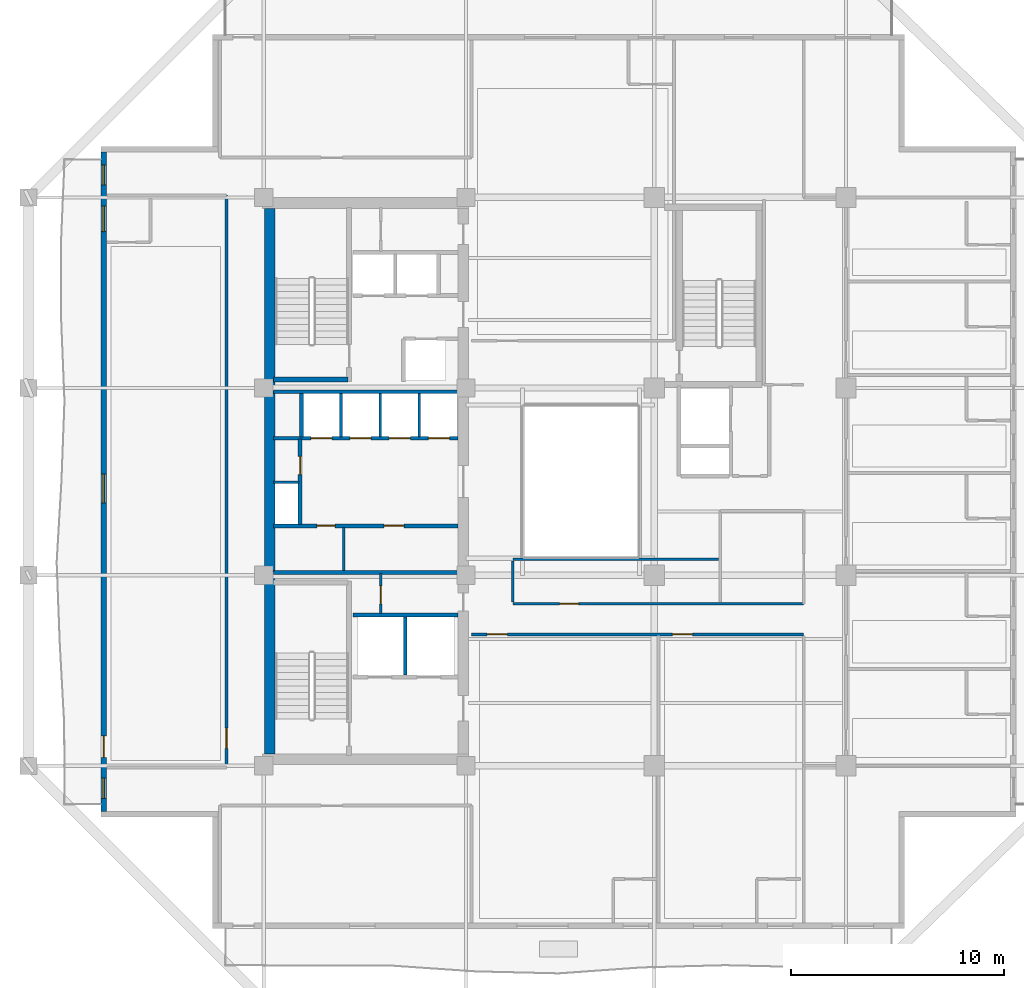
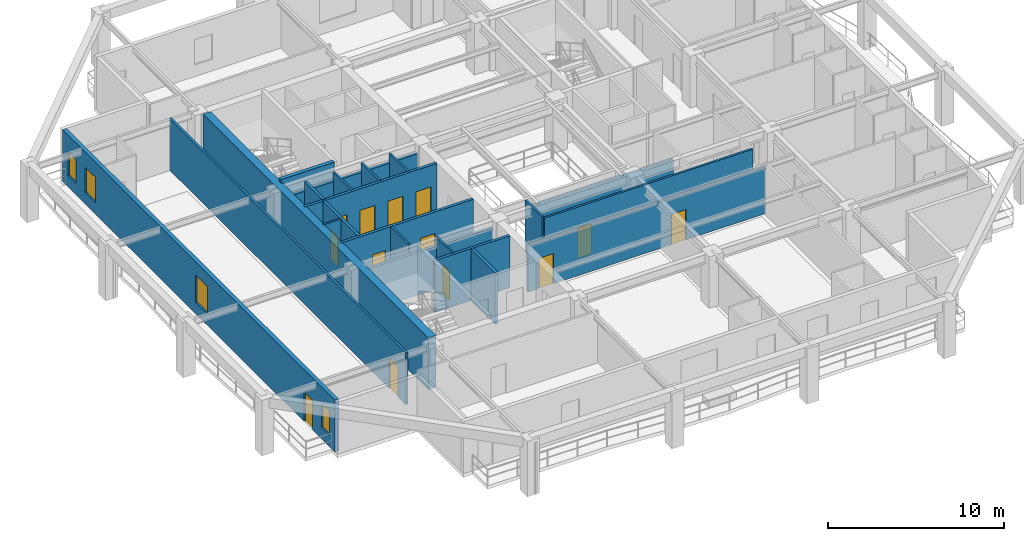
# One storey, part 3 of 13: 22 walls, 13 doors, 4 windows, 17 openings.
"""IFC4 building model written with IfcOpenShell, lengths in metres."""

import ifcopenshell
import ifcopenshell.guid

model = None  # the IFC model being written
_history = None  # IfcOwnerHistory: only IFC2X3 demands one
_inside = {}  # id of a spatial element -> (the spatial element, [elements in it])
_under = {}  # id of a project, library or spatial element -> (it, [spatial elements below it])
_declared = {}  # id of a project -> (the project, [libraries it declares])
_typed = {}  # id of a type object -> (the type object, [elements of that type])
_made_of = {}  # id of a material, layer set ... -> (it, [elements and type objects made of it])


def new_model(schema):
    """Start an empty IFC model of exactly this schema.

    Asked for "IFC4X3", IfcOpenShell would pick the latest addendum, in which some entities
    have other attributes; the version numbers below select the first issue.
    IFC2X3 requires an IfcOwnerHistory on every rooted entity: one is made here for all.
    """
    global model, _history
    if schema == "IFC4X3":
        model = ifcopenshell.file(schema_version=(4, 3, 0, 0))
    else:
        model = ifcopenshell.file(schema=schema)
    _inside.clear()
    _under.clear()
    _declared.clear()
    _typed.clear()
    _made_of.clear()
    _history = None
    if model.schema == "IFC2X3":
        org = make("IfcOrganization", Name="unknown")
        user = make(
            "IfcPersonAndOrganization",
            ThePerson=make("IfcPerson", FamilyName="unknown"),
            TheOrganization=org,
        )
        app = make(
            "IfcApplication",
            ApplicationDeveloper=org,
            Version="unknown",
            ApplicationFullName="unknown",
            ApplicationIdentifier="unknown",
        )
        _history = make(
            "IfcOwnerHistory",
            OwningUser=user,
            OwningApplication=app,
            ChangeAction="ADDED",
            CreationDate=0,
        )
    return model


def make(cls, **values):
    """One entity of the class cls with the attributes given. An attribute that is None is left unset."""
    return model.create_entity(
        cls, **{name: value for name, value in values.items() if value is not None}
    )


def rooted(cls, **values):
    """An entity with a GlobalId (a new one), such as an element, a storey or a relation."""
    return make(cls, GlobalId=ifcopenshell.guid.new(), OwnerHistory=_history, **values)


def si_unit(unit_type, name, prefix=None):
    """IfcSIUnit, for example si_unit("LENGTHUNIT", "METRE", prefix="MILLI")."""
    return make("IfcSIUnit", UnitType=unit_type, Prefix=prefix, Name=name)


def assignment(units):
    """IfcUnitAssignment: the units of a project."""
    return None if units is None else make("IfcUnitAssignment", Units=units)


def point(xyz):
    """IfcCartesianPoint."""
    return None if xyz is None else make("IfcCartesianPoint", Coordinates=xyz)


def direction(xyz):
    """IfcDirection."""
    return None if xyz is None else make("IfcDirection", DirectionRatios=xyz)


def frame(location, z_axis=None, x_axis=None):
    """IfcAxis2Placement3D, a coordinate frame: its origin and axes. An axis left out is left unset."""
    return make(
        "IfcAxis2Placement3D",
        Location=point(location),
        Axis=direction(z_axis),
        RefDirection=direction(x_axis),
    )


def frame_2d(location, x_axis=None):
    """IfcAxis2Placement2D, a coordinate frame in the plane: its origin and x axis."""
    return make(
        "IfcAxis2Placement2D", Location=point(location), RefDirection=direction(x_axis)
    )


def origin():
    """The frame at (0, 0, 0) with its axes left unset."""
    return frame((0.0, 0.0, 0.0))


def place(relative_to, where):
    """IfcLocalPlacement: puts the frame where relative to a parent placement (None: the world)."""
    return make(
        "IfcLocalPlacement", PlacementRelTo=relative_to, RelativePlacement=where
    )


def context(
    kind, dimensions, precision=None, world=None, true_north=None, identifier=None
):
    """IfcGeometricRepresentationContext, for example the 3D "Model" context."""
    return make(
        "IfcGeometricRepresentationContext",
        ContextIdentifier=identifier,
        ContextType=kind,
        CoordinateSpaceDimension=dimensions,
        Precision=precision,
        WorldCoordinateSystem=world,
        TrueNorth=true_north,
    )


def subcontext(parent, identifier, kind, view, scale=None):
    """IfcGeometricRepresentationSubContext, for example "Body" below "Model"."""
    return make(
        "IfcGeometricRepresentationSubContext",
        ContextIdentifier=identifier,
        ContextType=kind,
        ParentContext=parent,
        TargetScale=scale,
        TargetView=view,
    )


def project(units=None, contexts=None):
    """IfcProject with its units and contexts."""
    return rooted(
        "IfcProject",
        Name="project",
        RepresentationContexts=contexts,
        UnitsInContext=assignment(units),
    )


def spatial(cls, under=None, at=None, **own):
    """A site, building, storey or space (cls), placed at a placement, below another one or the project."""
    s = rooted(cls, ObjectPlacement=at, **own)
    if under is not None:
        _under.setdefault(under.id(), (under, []))[1].append(s)
    return s


def profile(cls, at=None, kind="AREA", **sizes):
    """A parametric profile (cls). Its sizes go by their IFC names, for example OverallWidth=200.0."""
    return make(cls, ProfileType=kind, Position=at, **sizes)


def rectangle(**sizes):
    """IfcRectangleProfileDef."""
    return profile("IfcRectangleProfileDef", **sizes)


def extrude(swept, where, along, depth):
    """IfcExtrudedAreaSolid: the profile swept, set in the frame where, extruded along a direction by depth."""
    return make(
        "IfcExtrudedAreaSolid",
        SweptArea=swept,
        Position=where,
        ExtrudedDirection=direction(along),
        Depth=depth,
    )


def shape(context_of_items, identifier, shape_type, items):
    """IfcShapeRepresentation: the items that make up one representation, for example the "Body"."""
    return make(
        "IfcShapeRepresentation",
        ContextOfItems=context_of_items,
        RepresentationIdentifier=identifier,
        RepresentationType=shape_type,
        Items=items,
    )


def material(Name=None, Category=None):
    """IfcMaterial."""
    return make("IfcMaterial", Name=Name, Category=Category)


def layer(
    of_material, thickness, ventilated=None, Name=None, Category=None, Priority=None
):
    """IfcMaterialLayer: one layer of a wall or slab, of a material (None: an air gap)."""
    return make(
        "IfcMaterialLayer",
        Material=of_material,
        LayerThickness=thickness,
        IsVentilated=ventilated,
        Name=Name,
        Category=Category,
        Priority=Priority,
    )


def layer_set(layers, Name=None):
    """IfcMaterialLayerSet."""
    return make("IfcMaterialLayerSet", MaterialLayers=layers, LayerSetName=Name)


def made_of(thing, what):
    """Note that an element or type object is made of a material, layer set ...; save() writes the relation."""
    if what is not None:
        _made_of.setdefault(what.id(), (what, []))[1].append(thing)
    return thing


def type_object(cls, material=None, **own):
    """A type object (cls), such as IfcWallType, which elements share."""
    return made_of(rooted(cls, **own), material)


def element(
    cls,
    number,
    at=None,
    inside=None,
    cuts=None,
    type_object=None,
    material=None,
    context=None,
    identifier="Body",
    shape_type=None,
    held_by="IfcProductDefinitionShape",
    body=None,
    shapes=None,
    **own,
):
    """One element of the class cls, such as IfcWall. Its Tag is "e" and its number.

    at: its placement. inside: the storey or other place that contains it. cuts: it is an
    opening in that element (IfcRelVoidsElement). A single representation is given by context,
    identifier, shape_type and body (its items); several are given by shapes. held_by: the class
    of the entity that holds the representations. save() writes the other relations.
    """
    e = rooted(cls, Tag="e%d" % number, ObjectPlacement=at, **own)
    if body is not None:
        shapes = [shape(context, identifier, shape_type, body)]
    if shapes is not None:
        e.Representation = make(held_by, Representations=shapes)
    if inside is not None:
        _inside.setdefault(inside.id(), (inside, []))[1].append(e)
    if cuts is not None:
        rooted(
            "IfcRelVoidsElement", RelatingBuildingElement=cuts, RelatedOpeningElement=e
        )
    if type_object is not None:
        _typed.setdefault(type_object.id(), (type_object, []))[1].append(e)
    return made_of(e, material)


def fill(opening, filler):
    """IfcRelFillsElement: the door or window that sits in an opening."""
    return rooted(
        "IfcRelFillsElement",
        RelatingOpeningElement=opening,
        RelatedBuildingElement=filler,
    )


def aggregate(whole, parts):
    """IfcRelAggregates: a whole, such as a stair, and the parts it consists of."""
    return rooted("IfcRelAggregates", RelatingObject=whole, RelatedObjects=parts)


def save(model, path):
    """Write the relations noted so far, then the file.

    IfcRelAggregates (storeys below a building ...), IfcRelContainedInSpatialStructure (elements
    in a storey), IfcRelDefinesByType, IfcRelAssociatesMaterial and IfcRelDeclares: one each for
    every whole, place, type object, material and project.
    """
    for whole, parts in _under.values():
        aggregate(whole, parts)
    for where, things in _inside.values():
        rooted(
            "IfcRelContainedInSpatialStructure",
            RelatedElements=things,
            RelatingStructure=where,
        )
    for kind, things in _typed.values():
        rooted("IfcRelDefinesByType", RelatedObjects=things, RelatingType=kind)
    for what, things in _made_of.values():
        rooted("IfcRelAssociatesMaterial", RelatedObjects=things, RelatingMaterial=what)
    for by, libraries in _declared.values():
        rooted("IfcRelDeclares", RelatingContext=by, RelatedDefinitions=libraries)
    model.write(path)


model = new_model("IFC4")

# Units and contexts
model_context = context("Model", 3, precision=1e-05, world=origin(), true_north=direction((0.0, 1.0)))
body_context = subcontext(model_context, "Body", "Model", "MODEL_VIEW")
ifc_project = project(units=[si_unit("LENGTHUNIT", "METRE"), si_unit("AREAUNIT", "SQUARE_METRE"), si_unit("VOLUMEUNIT", "CUBIC_METRE"), si_unit("PLANEANGLEUNIT", "RADIAN"), si_unit("MASSUNIT", "GRAM", prefix="KILO")], contexts=[model_context])

# Site, building, storey
site_placement = place(None, origin())
site = spatial("IfcSite", under=ifc_project, at=site_placement, CompositionType="ELEMENT")
building_placement = place(site_placement, origin())
building = spatial("IfcBuilding", under=site, at=building_placement, Name="Kundavana Baori Tower", CompositionType="ELEMENT")
storey_placement = place(building_placement, frame((0.0, 0.0, 192.550048828125)))
storey = spatial("IfcBuildingStorey", under=building, at=storey_placement, Name="L47", CompositionType="ELEMENT", Elevation=192.550048828125)

# Walls
ifc_material_1 = material(Name="Concrete C50/60", Category="concrete")
ifc_layer_1 = layer(ifc_material_1, 0.39990234375, Name="WL-CORE-400")
ifc_layer_set_1 = layer_set([ifc_layer_1], Name="Concrete C50/60")
wall_type_1 = type_object("IfcWallType", Name="WL-CORE-400", PredefinedType="SHEAR", material=ifc_layer_set_1)
wall_1_placement = place(storey_placement, frame((15.89990234375, 33.389892578125, 0.0), z_axis=(0.0, 0.0, 1.0), x_axis=(1.0, 0.0, 0.0)))
element("IfcWall", 1, at=wall_1_placement, inside=storey, type_object=wall_type_1, Name="WL-L47-ST2-S", PredefinedType="SHEAR", context=body_context, shape_type="SweptSolid", body=[
    extrude(rectangle(XDim=3.52001953125, YDim=0.239990234375, at=frame_2d((1.760009765625, 0.0))), origin(), (0.0, 0.0, 1.0), 3.849853515625),
])
ifc_material_2 = material(Name="Concrete C50/60", Category="concrete")
ifc_layer_2 = layer(ifc_material_2, 0.5, Name="WL-CORE-500")
ifc_layer_set_2 = layer_set([ifc_layer_2], Name="Concrete C50/60")
wall_type_2 = type_object("IfcWallType", Name="WL-CORE-500", PredefinedType="SHEAR", material=ifc_layer_set_2)
wall_2_placement = place(storey_placement, frame((15.739990234375, 15.81005859375, 0.0), z_axis=(0.0, 0.0, 1.0), x_axis=(0.0, 1.0, 0.0)))
element("IfcWall", 2, at=wall_2_placement, inside=storey, type_object=wall_type_2, Name="L47 Offset Core West Shear Wall", PredefinedType="SHEAR", context=body_context, shape_type="SweptSolid", body=[
    extrude(rectangle(XDim=25.6298828125, YDim=0.5, at=frame_2d((12.81494140625, 0.0))), origin(), (0.0, 0.0, 1.0), 3.599853515625),
])

# Wall, openings, door, windows
ifc_material_3 = material(Name="Kiln-Fired Terracotta Brick-Slip Masonry on Concrete C40/50", Category="masonry")
ifc_layer_3 = layer(ifc_material_3, 0.260009765625, Name="WL-EXT-BRK-260")
ifc_layer_set_3 = layer_set([ifc_layer_3], Name="Kiln-Fired Terracotta Brick-Slip Masonry on Concrete C40/50")
wall_type_3 = type_object("IfcWallType", Name="WL-EXT-BRK-260", PredefinedType="SOLIDWALL", material=ifc_layer_set_3)
wall_3_placement = place(storey_placement, frame((7.929931640625, 44.090087890625, 0.0), z_axis=(0.0, 0.0, 1.0), x_axis=(0.0, -1.0, 0.0)))
wall_3 = element("IfcWall", 3, at=wall_3_placement, inside=storey, type_object=wall_type_3, Name="L47 Exterior Insulated Facade Wall 10", PredefinedType="SOLIDWALL", context=body_context, shape_type="SweptSolid", body=[
    extrude(rectangle(XDim=30.97998046875, YDim=0.260009765625, at=frame_2d((15.489990234375, 0.0))), origin(), (0.0, 0.0, 1.0), 3.599853515625),
])
opening_1_placement = place(wall_3_placement, frame((29.425048828125, 0.0, 0.800048828125)))
opening_1 = element("IfcOpeningElement", 4, at=opening_1_placement, cuts=wall_3, Name="Opening W-13", PredefinedType="OPENING", context=body_context, shape_type="SweptSolid", body=[
    extrude(rectangle(XDim=0.949951171875, YDim=1.64990234375, at=frame_2d((0.47509765625, 0.824951171875))), frame((0.0, 0.14013671875, 0.0), z_axis=(0.0, -1.0, 0.0), x_axis=(1.0, 0.0, 0.0)), (0.0, 0.0, 1.0), 0.280029296875),
])
opening_2_placement = place(wall_3_placement, frame((27.43994140625, 0.0, 0.0)))
opening_2 = element("IfcOpeningElement", 5, at=opening_2_placement, cuts=wall_3, Name="Opening BD-1", PredefinedType="OPENING", context=body_context, shape_type="SweptSolid", body=[
    extrude(rectangle(XDim=1.0, YDim=2.050048828125, at=frame_2d((0.5, 1.02490234375))), frame((0.0, 0.14013671875, 0.0), z_axis=(0.0, -1.0, 0.0), x_axis=(1.0, 0.0, 0.0)), (0.0, 0.0, 1.0), 0.280029296875),
])
opening_3_placement = place(wall_3_placement, frame((15.135009765625, 0.0, 0.800048828125)))
opening_3 = element("IfcOpeningElement", 6, at=opening_3_placement, cuts=wall_3, Name="Opening W-07", PredefinedType="OPENING", context=body_context, shape_type="SweptSolid", body=[
    extrude(rectangle(XDim=1.35009765625, YDim=1.89990234375, at=frame_2d((0.675048828125, 0.949951171875))), frame((0.0, 0.14013671875, 0.0), z_axis=(0.0, -1.0, 0.0), x_axis=(1.0, 0.0, 0.0)), (0.0, 0.0, 1.0), 0.280029296875),
])
opening_4_placement = place(wall_3_placement, frame((2.544921875, 0.0, 0.800048828125)))
opening_4 = element("IfcOpeningElement", 7, at=opening_4_placement, cuts=wall_3, Name="Opening W-03", PredefinedType="OPENING", context=body_context, shape_type="SweptSolid", body=[
    extrude(rectangle(XDim=1.199951171875, YDim=1.75, at=frame_2d((0.60009765625, 0.875))), frame((0.0, 0.14013671875, 0.0), z_axis=(0.0, -1.0, 0.0), x_axis=(1.0, 0.0, 0.0)), (0.0, 0.0, 1.0), 0.280029296875),
])
opening_5_placement = place(wall_3_placement, frame((0.60498046875, 0.0, 0.800048828125)))
opening_5 = element("IfcOpeningElement", 8, at=opening_5_placement, cuts=wall_3, Name="Opening W-13", PredefinedType="OPENING", context=body_context, shape_type="SweptSolid", body=[
    extrude(rectangle(XDim=0.949951171875, YDim=1.64990234375, at=frame_2d((0.47509765625, 0.824951171875))), frame((0.0, 0.14013671875, 0.0), z_axis=(0.0, -1.0, 0.0), x_axis=(1.0, 0.0, 0.0)), (0.0, 0.0, 1.0), 0.280029296875),
])
ifc_material_4 = material(Name="Architectural Patinated Bronze Metalwork")
door_type_1 = type_object("IfcDoorType", Name="DR-EXT-LOG-1000", OperationType="NOTDEFINED", PredefinedType="DOOR", material=ifc_material_4)
door_1_placement = place(opening_2_placement, frame((1.0, 0.0, 0.0), z_axis=(0.0, 0.0, 1.0), x_axis=(-1.0, 0.0, 0.0)))
door_1 = element("IfcDoor", 9, at=door_1_placement, inside=storey, type_object=door_type_1, Name="L47 Loggia Balcony Access Door W", OperationType="SINGLE_SWING_LEFT", OverallHeight=2.050048828125, OverallWidth=1.0, PredefinedType="DOOR", context=body_context, shape_type="SweptSolid", body=[
    extrude(rectangle(XDim=1.0, YDim=2.050048828125, at=frame_2d((0.5, 1.02490234375))), frame((0.0, 0.02490234375, 0.0), z_axis=(0.0, -1.0, 0.0), x_axis=(1.0, 0.0, 0.0)), (0.0, 0.0, 1.0), 0.050048828125),
])
fill(opening_2, door_1)
ifc_material_5 = material(Name="Double-Glazed Solar-Control Low-E Insulated Glass", Category="glass")
window_type_1 = type_object("IfcWindowType", Name="WIN-LOG-1200x1750", PartitioningType="SINGLE_PANEL", PredefinedType="WINDOW", material=ifc_material_5)
window_1_placement = place(opening_4_placement, origin())
window_1 = element("IfcWindow", 10, at=window_1_placement, inside=storey, type_object=window_type_1, Name="L47 Recessed Loggia Window W-3", OverallHeight=1.75, OverallWidth=1.199951171875, PartitioningType="SINGLE_PANEL", PredefinedType="WINDOW", context=body_context, shape_type="SweptSolid", body=[
    extrude(rectangle(XDim=1.199951171875, YDim=1.75, at=frame_2d((0.60009765625, 0.875))), frame((0.0, 0.030029296875, 0.0), z_axis=(0.0, -1.0, 0.0), x_axis=(1.0, 0.0, 0.0)), (0.0, 0.0, 1.0), 0.06005859375),
])
fill(opening_4, window_1)
ifc_material_6 = material(Name="Double-Glazed Solar-Control Low-E Insulated Glass", Category="glass")
window_type_2 = type_object("IfcWindowType", Name="WIN-LOG-1350x1900", PartitioningType="SINGLE_PANEL", PredefinedType="WINDOW", material=ifc_material_6)
window_2_placement = place(opening_3_placement, origin())
window_2 = element("IfcWindow", 11, at=window_2_placement, inside=storey, type_object=window_type_2, Name="L47 Recessed Loggia Window W-2", OverallHeight=1.89990234375, OverallWidth=1.35009765625, PartitioningType="SINGLE_PANEL", PredefinedType="WINDOW", context=body_context, shape_type="SweptSolid", body=[
    extrude(rectangle(XDim=1.35009765625, YDim=1.89990234375, at=frame_2d((0.675048828125, 0.949951171875))), frame((0.0, 0.030029296875, 0.0), z_axis=(0.0, -1.0, 0.0), x_axis=(1.0, 0.0, 0.0)), (0.0, 0.0, 1.0), 0.06005859375),
])
fill(opening_3, window_2)
ifc_material_7 = material(Name="Double-Glazed Solar-Control Low-E Insulated Glass", Category="glass")
window_type_3 = type_object("IfcWindowType", Name="WIN-LOG-950x1650", PartitioningType="SINGLE_PANEL", PredefinedType="WINDOW", material=ifc_material_7)
window_3_placement = place(opening_1_placement, origin())
window_3 = element("IfcWindow", 12, at=window_3_placement, inside=storey, type_object=window_type_3, Name="L47 Recessed Loggia Window W-1", OverallHeight=1.64990234375, OverallWidth=0.949951171875, PartitioningType="SINGLE_PANEL", PredefinedType="WINDOW", context=body_context, shape_type="SweptSolid", body=[
    extrude(rectangle(XDim=0.949951171875, YDim=1.64990234375, at=frame_2d((0.47509765625, 0.824951171875))), frame((0.0, 0.030029296875, 0.0), z_axis=(0.0, -1.0, 0.0), x_axis=(1.0, 0.0, 0.0)), (0.0, 0.0, 1.0), 0.06005859375),
])
fill(opening_1, window_3)
window_4_placement = place(opening_5_placement, origin())
window_4 = element("IfcWindow", 13, at=window_4_placement, inside=storey, type_object=window_type_3, Name="L47 Recessed Loggia Window W-4", OverallHeight=1.64990234375, OverallWidth=0.949951171875, PartitioningType="SINGLE_PANEL", PredefinedType="WINDOW", context=body_context, shape_type="SweptSolid", body=[
    extrude(rectangle(XDim=0.949951171875, YDim=1.64990234375, at=frame_2d((0.47509765625, 0.824951171875))), frame((0.0, 0.030029296875, 0.0), z_axis=(0.0, -1.0, 0.0), x_axis=(1.0, 0.0, 0.0)), (0.0, 0.0, 1.0), 0.06005859375),
])
fill(opening_5, window_4)

# Wall, opening, door
ifc_material_8 = material(Name="Acoustic Gypsum Plasterboard on Galvanised Steel Studs", Category="steel")
ifc_layer_4 = layer(ifc_material_8, 0.1201171875, Name="WL-PART-120")
ifc_layer_set_4 = layer_set([ifc_layer_4], Name="Acoustic Gypsum Plasterboard on Galvanised Steel Studs")
wall_type_4 = type_object("IfcWallType", Name="WL-PART-120", PredefinedType="PARTITIONING", material=ifc_layer_set_4)
wall_4_placement = place(storey_placement, frame((20.949951171875, 22.39990234375, 0.0), z_axis=(0.0, 0.0, 1.0), x_axis=(0.0, 1.0, 0.0)))
wall_4 = element("IfcWall", 14, at=wall_4_placement, inside=storey, type_object=wall_type_4, Name="WL-L47-CSMK-D2", PredefinedType="PARTITIONING", context=body_context, shape_type="SweptSolid", body=[
    extrude(rectangle(XDim=1.880126953125, YDim=0.1201171875, at=frame_2d((0.93994140625, 0.0))), origin(), (0.0, 0.0, 1.0), 3.599853515625),
])
opening_6_placement = place(wall_4_placement, frame((0.449951171875, 0.0, 0.0)))
opening_6 = element("IfcOpeningElement", 15, at=opening_6_placement, cuts=wall_4, Name="Opening FD-085", PredefinedType="OPENING", context=body_context, shape_type="SweptSolid", body=[
    extrude(rectangle(XDim=0.85009765625, YDim=2.06005859375, at=frame_2d((0.425048828125, 1.030029296875))), frame((0.0, 0.070068359375, 0.0), z_axis=(0.0, -1.0, 0.0), x_axis=(1.0, 0.0, 0.0)), (0.0, 0.0, 1.0), 0.14013671875),
])
ifc_material_9 = material(Name="Galvanised Steel Fire-Rated Door Leaf", Category="steel")
door_type_2 = type_object("IfcDoorType", Name="DR-FD60-850", OperationType="NOTDEFINED", PredefinedType="DOOR", material=ifc_material_9)
door_2_placement = place(opening_6_placement, origin())
door_2 = element("IfcDoor", 16, at=door_2_placement, inside=storey, type_object=door_type_2, Name="DR-L47-CSMK1", OperationType="SINGLE_SWING_RIGHT", OverallHeight=2.06005859375, OverallWidth=0.85009765625, PredefinedType="DOOR", context=body_context, shape_type="SweptSolid", body=[
    extrude(rectangle(XDim=0.85009765625, YDim=2.06005859375, at=frame_2d((0.425048828125, 1.030029296875))), frame((0.0, 0.02490234375, 0.0), z_axis=(0.0, -1.0, 0.0), x_axis=(1.0, 0.0, 0.0)), (0.0, 0.0, 1.0), 0.050048828125),
])
fill(opening_6, door_2)

# Walls
wall_5_placement = place(storey_placement, frame((19.199951171875, 24.419921875, 0.0), z_axis=(0.0, 0.0, 1.0), x_axis=(0.0, 1.0, 0.0)))
element("IfcWall", 17, at=wall_5_placement, inside=storey, type_object=wall_type_4, Name="WL-L47-FRLOW-DIV", PredefinedType="PARTITIONING", context=body_context, shape_type="SweptSolid", body=[
    extrude(rectangle(XDim=2.02001953125, YDim=0.1201171875, at=frame_2d((1.010009765625, 0.0))), origin(), (0.0, 0.0, 1.0), 3.599853515625),
])
wall_6_placement = place(storey_placement, frame((15.89990234375, 28.56005859375, 0.0), z_axis=(0.0, 0.0, 1.0), x_axis=(1.0, 0.0, 0.0)))
element("IfcWall", 18, at=wall_6_placement, inside=storey, type_object=wall_type_4, Name="WL-L47-RSRW-N", PredefinedType="PARTITIONING", context=body_context, shape_type="SweptSolid", body=[
    extrude(rectangle(XDim=1.2001953125, YDim=0.1201171875, at=frame_2d((0.60009765625, 0.0))), origin(), (0.0, 0.0, 1.0), 3.599853515625),
])
for number, where, z_axis, x_axis, name in (
    (19, (19.080078125, 30.699951171875, 0.0), (0.0, 0.0, 1.0), (0.0, 1.0, 0.0), "WL-L47-LPMID-D1"),
    (20, (20.919921875, 30.699951171875, 0.0), (0.0, 0.0, 1.0), (0.0, 1.0, 0.0), "WL-L47-LPMID-D2"),
    (21, (22.760009765625, 30.699951171875, 0.0), (0.0, 0.0, 1.0), (0.0, 1.0, 0.0), "WL-L47-LPMID-D3"),
):
    element("IfcWall", number, at=place(storey_placement, frame(where, z_axis=z_axis, x_axis=x_axis)), inside=storey, type_object=wall_type_4, Name=name, PredefinedType="PARTITIONING", context=body_context, shape_type="SweptSolid", body=[
        extrude(rectangle(XDim=2.050048828125, YDim=0.1201171875, at=frame_2d((1.02490234375, 0.0))), origin(), (0.0, 0.0, 1.0), 3.599853515625),
    ])

# Wall, openings, doors
ifc_material_10 = material(Name="Acoustic Gypsum Plasterboard on Galvanised Steel Studs", Category="steel")
ifc_layer_5 = layer(ifc_material_10, 0.135009765625, Name="WL-PART-135")
ifc_layer_set_5 = layer_set([ifc_layer_5], Name="Acoustic Gypsum Plasterboard on Galvanised Steel Studs")
wall_type_5 = type_object("IfcWallType", Name="WL-PART-135", PredefinedType="PARTITIONING", material=ifc_layer_set_5)
wall_7_placement = place(storey_placement, frame((25.219970703125, 21.419921875, 0.0), z_axis=(0.0, 0.0, 1.0), x_axis=(1.0, 0.0, 0.0)))
wall_7 = element("IfcWall", 22, at=wall_7_placement, inside=storey, type_object=wall_type_5, Name="WL-L47-HS", PredefinedType="PARTITIONING", context=body_context, shape_type="SweptSolid", body=[
    extrude(rectangle(XDim=15.60009765625, YDim=0.135009765625, at=frame_2d((7.800048828125, 0.0))), origin(), (0.0, 0.0, 1.0), 3.25),
])
opening_7_placement = place(wall_7_placement, frame((0.72998046875, 0.0, 0.0)))
opening_7 = element("IfcOpeningElement", 23, at=opening_7_placement, cuts=wall_7, Name="Opening FD-095", PredefinedType="OPENING", context=body_context, shape_type="SweptSolid", body=[
    extrude(rectangle(XDim=0.949951171875, YDim=2.10009765625, at=frame_2d((0.47509765625, 1.050048828125))), frame((0.0, 0.07763671875, 0.0), z_axis=(0.0, -1.0, 0.0), x_axis=(1.0, 0.0, 0.0)), (0.0, 0.0, 1.0), 0.155029296875),
])
opening_8_placement = place(wall_7_placement, frame((9.429931640625, 0.0, 0.0)))
opening_8 = element("IfcOpeningElement", 24, at=opening_8_placement, cuts=wall_7, Name="Opening FD-095", PredefinedType="OPENING", context=body_context, shape_type="SweptSolid", body=[
    extrude(rectangle(XDim=0.949951171875, YDim=2.10009765625, at=frame_2d((0.47509765625, 1.050048828125))), frame((0.0, 0.07763671875, 0.0), z_axis=(0.0, -1.0, 0.0), x_axis=(1.0, 0.0, 0.0)), (0.0, 0.0, 1.0), 0.155029296875),
])
ifc_material_11 = material(Name="Engineered Teak Fire-Rated Timber Door Leaf", Category="wood")
door_type_3 = type_object("IfcDoorType", Name="DR-FD60-950", OperationType="NOTDEFINED", PredefinedType="DOOR", material=ifc_material_11)
door_3_placement = place(opening_7_placement, frame((0.949951171875, 0.0, 0.0), z_axis=(0.0, 0.0, 1.0), x_axis=(-1.0, 0.0, 0.0)))
door_3 = element("IfcDoor", 25, at=door_3_placement, inside=storey, type_object=door_type_3, Name="DR-L47-HK-S1-ENT", OperationType="SINGLE_SWING_RIGHT", OverallHeight=2.10009765625, OverallWidth=0.949951171875, PredefinedType="DOOR", context=body_context, shape_type="SweptSolid", body=[
    extrude(rectangle(XDim=0.949951171875, YDim=2.10009765625, at=frame_2d((0.47509765625, 1.050048828125))), frame((0.0, 0.02490234375, 0.0), z_axis=(0.0, -1.0, 0.0), x_axis=(1.0, 0.0, 0.0)), (0.0, 0.0, 1.0), 0.050048828125),
])
fill(opening_7, door_3)
door_4_placement = place(opening_8_placement, frame((0.949951171875, 0.0, 0.0), z_axis=(0.0, 0.0, 1.0), x_axis=(-1.0, 0.0, 0.0)))
door_4 = element("IfcDoor", 26, at=door_4_placement, inside=storey, type_object=door_type_3, Name="DR-L47-HK-S2-ENT", OperationType="SINGLE_SWING_RIGHT", OverallHeight=2.10009765625, OverallWidth=0.949951171875, PredefinedType="DOOR", context=body_context, shape_type="SweptSolid", body=[
    extrude(rectangle(XDim=0.949951171875, YDim=2.10009765625, at=frame_2d((0.47509765625, 1.050048828125))), frame((0.0, 0.02490234375, 0.0), z_axis=(0.0, -1.0, 0.0), x_axis=(1.0, 0.0, 0.0)), (0.0, 0.0, 1.0), 0.050048828125),
])
fill(opening_8, door_4)

# Wall, opening, door
wall_8_placement = place(storey_placement, frame((27.14990234375, 22.860107421875, 0.0), z_axis=(0.0, 0.0, 1.0), x_axis=(1.0, 0.0, 0.0)))
wall_8 = element("IfcWall", 27, at=wall_8_placement, inside=storey, type_object=wall_type_5, Name="WL-L47-HST", PredefinedType="PARTITIONING", context=body_context, shape_type="SweptSolid", body=[
    extrude(rectangle(XDim=13.670166015625, YDim=0.135009765625, at=frame_2d((6.8349609375, 0.0))), origin(), (0.0, 0.0, 1.0), 3.599853515625),
])
opening_9_placement = place(wall_8_placement, frame((2.199951171875, 0.0, 0.0)))
opening_9 = element("IfcOpeningElement", 28, at=opening_9_placement, cuts=wall_8, Name="Opening ID-090", PredefinedType="OPENING", context=body_context, shape_type="SweptSolid", body=[
    extrude(rectangle(XDim=0.89990234375, YDim=2.080078125, at=frame_2d((0.449951171875, 1.0400390625))), frame((0.0, 0.07763671875, 0.0), z_axis=(0.0, -1.0, 0.0), x_axis=(1.0, 0.0, 0.0)), (0.0, 0.0, 1.0), 0.155029296875),
])
ifc_material_12 = material(Name="Engineered Teak Solid-Core Timber Veneer", Category="wood")
door_type_4 = type_object("IfcDoorType", Name="DR-INT-900", OperationType="NOTDEFINED", PredefinedType="DOOR", material=ifc_material_12)
door_5_placement = place(opening_9_placement, origin())
door_5 = element("IfcDoor", 29, at=door_5_placement, inside=storey, type_object=door_type_4, Name="DR-L47-HPNT", OperationType="SINGLE_SWING_LEFT", OverallHeight=2.080078125, OverallWidth=0.89990234375, PredefinedType="DOOR", context=body_context, shape_type="SweptSolid", body=[
    extrude(rectangle(XDim=0.89990234375, YDim=2.080078125, at=frame_2d((0.449951171875, 1.0400390625))), frame((0.0, 0.02490234375, 0.0), z_axis=(0.0, -1.0, 0.0), x_axis=(1.0, 0.0, 0.0)), (0.0, 0.0, 1.0), 0.050048828125),
])
fill(opening_9, door_5)

wall_9_placement = place(storey_placement, frame((13.699951171875, 15.159912109375, 0.0), z_axis=(0.0, 0.0, 1.0), x_axis=(0.0, 1.0, 0.0)))
wall_9 = element("IfcWall", 30, at=wall_9_placement, inside=storey, type_object=wall_type_5, Name="WL-L47-HW", PredefinedType="PARTITIONING", context=body_context, shape_type="SweptSolid", body=[
    extrude(rectangle(XDim=26.880126953125, YDim=0.135009765625, at=frame_2d((13.43994140625, 0.0))), origin(), (0.0, 0.0, 1.0), 3.599853515625),
])
opening_10_placement = place(wall_9_placement, frame((0.909912109375, 0.0, 0.0)))
opening_10 = element("IfcOpeningElement", 31, at=opening_10_placement, cuts=wall_9, Name="Opening FD-095", PredefinedType="OPENING", context=body_context, shape_type="SweptSolid", body=[
    extrude(rectangle(XDim=0.949951171875, YDim=2.10009765625, at=frame_2d((0.47509765625, 1.050048828125))), frame((0.0, 0.07763671875, 0.0), z_axis=(0.0, -1.0, 0.0), x_axis=(1.0, 0.0, 0.0)), (0.0, 0.0, 1.0), 0.155029296875),
])
door_6_placement = place(opening_10_placement, origin())
door_6 = element("IfcDoor", 32, at=door_6_placement, inside=storey, type_object=door_type_3, Name="DR-L47-HK-W1-ENT", OperationType="SINGLE_SWING_LEFT", OverallHeight=2.10009765625, OverallWidth=0.949951171875, PredefinedType="DOOR", context=body_context, shape_type="SweptSolid", body=[
    extrude(rectangle(XDim=0.949951171875, YDim=2.10009765625, at=frame_2d((0.47509765625, 1.050048828125))), frame((0.0, 0.02490234375, 0.0), z_axis=(0.0, -1.0, 0.0), x_axis=(1.0, 0.0, 0.0)), (0.0, 0.0, 1.0), 0.050048828125),
])
fill(opening_10, door_6)

# Walls
wall_10_placement = place(storey_placement, frame((27.14990234375, 24.949951171875, 0.0), z_axis=(0.0, 0.0, 1.0), x_axis=(1.0, 0.0, 0.0)))
element("IfcWall", 33, at=wall_10_placement, inside=storey, type_object=wall_type_5, Name="WL-L47-HPN1", PredefinedType="PARTITIONING", context=body_context, shape_type="SweptSolid", body=[
    extrude(rectangle(XDim=9.670166015625, YDim=0.135009765625, at=frame_2d((4.8349609375, 0.0))), origin(), (0.0, 0.0, 1.0), 3.050048828125),
])
wall_11_placement = place(storey_placement, frame((27.14990234375, 22.93994140625, 0.0), z_axis=(0.0, 0.0, 1.0), x_axis=(0.0, 1.0, 0.0)))
element("IfcWall", 34, at=wall_11_placement, inside=storey, type_object=wall_type_5, Name="WL-L47-HPN2", PredefinedType="PARTITIONING", context=body_context, shape_type="SweptSolid", body=[
    extrude(rectangle(XDim=1.93994140625, YDim=0.135009765625, at=frame_2d((0.969970703125, 0.0))), origin(), (0.0, 0.0, 1.0), 3.599853515625),
])
ifc_material_13 = material(Name="Autoclaved Aerated Concrete Blockwork Masonry", Category="masonry")
ifc_layer_6 = layer(ifc_material_13, 0.179931640625, Name="WL-SHAFT-180")
ifc_layer_set_6 = layer_set([ifc_layer_6], Name="Autoclaved Aerated Concrete Blockwork Masonry")
wall_type_6 = type_object("IfcWallType", Name="WL-SHAFT-180", PredefinedType="SOLIDWALL", material=ifc_layer_set_6)
wall_12_placement = place(storey_placement, frame((22.10009765625, 19.510009765625, 0.0), z_axis=(0.0, 0.0, 1.0), x_axis=(0.0, 1.0, 0.0)))
element("IfcWall", 35, at=wall_12_placement, inside=storey, type_object=wall_type_6, Name="WL-L47-FFL-MID", PredefinedType="SOLIDWALL", context=body_context, shape_type="SweptSolid", body=[
    extrude(rectangle(XDim=2.739990234375, YDim=0.179931640625, at=frame_2d((1.3701171875, 0.0))), origin(), (0.0, 0.0, 1.0), 3.599853515625),
])
wall_13_placement = place(storey_placement, frame((19.639892578125, 22.340087890625, 0.0), z_axis=(0.0, 0.0, 1.0), x_axis=(1.0, 0.0, 0.0)))
element("IfcWall", 36, at=wall_13_placement, inside=storey, type_object=wall_type_6, Name="WL-L47-FFL-N", PredefinedType="SOLIDWALL", context=body_context, shape_type="SweptSolid", body=[
    extrude(rectangle(XDim=4.940185546875, YDim=0.179931640625, at=frame_2d((2.47021484375, 0.0))), origin(), (0.0, 0.0, 1.0), 3.599853515625),
])

# Wall, openings, doors
wall_14_placement = place(storey_placement, frame((15.89990234375, 26.52001953125, 0.0), z_axis=(0.0, 0.0, 1.0), x_axis=(1.0, 0.0, 0.0)))
wall_14 = element("IfcWall", 37, at=wall_14_placement, inside=storey, type_object=wall_type_6, Name="WL-L47-LPLOW-N", PredefinedType="SOLIDWALL", context=body_context, shape_type="SweptSolid", body=[
    extrude(rectangle(XDim=8.68017578125, YDim=0.179931640625, at=frame_2d((4.340087890625, 0.0))), origin(), (0.0, 0.0, 1.0), 3.599853515625),
])
opening_11_placement = place(wall_14_placement, frame((2.050048828125, 0.0, 0.0)))
opening_11 = element("IfcOpeningElement", 38, at=opening_11_placement, cuts=wall_14, Name="Opening FD-085", PredefinedType="OPENING", context=body_context, shape_type="SweptSolid", body=[
    extrude(rectangle(XDim=0.85009765625, YDim=2.06005859375, at=frame_2d((0.425048828125, 1.030029296875))), frame((0.0, 0.10009765625, 0.0), z_axis=(0.0, -1.0, 0.0), x_axis=(1.0, 0.0, 0.0)), (0.0, 0.0, 1.0), 0.199951171875),
])
opening_12_placement = place(wall_14_placement, frame((5.199951171875, 0.0, 0.0)))
opening_12 = element("IfcOpeningElement", 39, at=opening_12_placement, cuts=wall_14, Name="Opening FD-095", PredefinedType="OPENING", context=body_context, shape_type="SweptSolid", body=[
    extrude(rectangle(XDim=0.949951171875, YDim=2.10009765625, at=frame_2d((0.47509765625, 1.050048828125))), frame((0.0, 0.10009765625, 0.0), z_axis=(0.0, -1.0, 0.0), x_axis=(1.0, 0.0, 0.0)), (0.0, 0.0, 1.0), 0.199951171875),
])
door_7_placement = place(opening_11_placement, origin())
door_7 = element("IfcDoor", 40, at=door_7_placement, inside=storey, type_object=door_type_2, Name="DR-L47-FRLOW1", OperationType="SINGLE_SWING_LEFT", OverallHeight=2.06005859375, OverallWidth=0.85009765625, PredefinedType="DOOR", context=body_context, shape_type="SweptSolid", body=[
    extrude(rectangle(XDim=0.85009765625, YDim=2.06005859375, at=frame_2d((0.425048828125, 1.030029296875))), frame((0.0, 0.02490234375, 0.0), z_axis=(0.0, -1.0, 0.0), x_axis=(1.0, 0.0, 0.0)), (0.0, 0.0, 1.0), 0.050048828125),
])
fill(opening_11, door_7)
door_8_placement = place(opening_12_placement, origin())
door_8 = element("IfcDoor", 41, at=door_8_placement, inside=storey, type_object=door_type_3, Name="DR-L47-FRLOW2", OperationType="SINGLE_SWING_RIGHT", OverallHeight=2.10009765625, OverallWidth=0.949951171875, PredefinedType="DOOR", context=body_context, shape_type="SweptSolid", body=[
    extrude(rectangle(XDim=0.949951171875, YDim=2.10009765625, at=frame_2d((0.47509765625, 1.050048828125))), frame((0.0, 0.02490234375, 0.0), z_axis=(0.0, -1.0, 0.0), x_axis=(1.0, 0.0, 0.0)), (0.0, 0.0, 1.0), 0.050048828125),
])
fill(opening_12, door_8)

# Wall
wall_15_placement = place(storey_placement, frame((15.89990234375, 24.330078125, 0.0), z_axis=(0.0, 0.0, 1.0), x_axis=(1.0, 0.0, 0.0)))
element("IfcWall", 42, at=wall_15_placement, inside=storey, type_object=wall_type_6, Name="WL-L47-LPLOW-S", PredefinedType="SOLIDWALL", context=body_context, shape_type="SweptSolid", body=[
    extrude(rectangle(XDim=8.68017578125, YDim=0.179931640625, at=frame_2d((4.340087890625, 0.0))), origin(), (0.0, 0.0, 1.0), 2.949951171875),
])

# Wall, opening, door
wall_16_placement = place(storey_placement, frame((17.159912109375, 26.580078125, 0.0), z_axis=(0.0, 0.0, 1.0), x_axis=(0.0, 1.0, 0.0)))
wall_16 = element("IfcWall", 43, at=wall_16_placement, inside=storey, type_object=wall_type_6, Name="WL-L47-RSRW-E", PredefinedType="SOLIDWALL", context=body_context, shape_type="SweptSolid", body=[
    extrude(rectangle(XDim=4.02001953125, YDim=0.179931640625, at=frame_2d((2.010009765625, 0.0))), origin(), (0.0, 0.0, 1.0), 3.599853515625),
])
opening_13_placement = place(wall_16_placement, frame((2.35009765625, 0.0, 0.0)))
opening_13 = element("IfcOpeningElement", 44, at=opening_13_placement, cuts=wall_16, Name="Opening FD-085", PredefinedType="OPENING", context=body_context, shape_type="SweptSolid", body=[
    extrude(rectangle(XDim=0.85009765625, YDim=2.06005859375, at=frame_2d((0.425048828125, 1.030029296875))), frame((0.0, 0.10009765625, 0.0), z_axis=(0.0, -1.0, 0.0), x_axis=(1.0, 0.0, 0.0)), (0.0, 0.0, 1.0), 0.199951171875),
])
door_9_placement = place(opening_13_placement, origin())
door_9 = element("IfcDoor", 45, at=door_9_placement, inside=storey, type_object=door_type_2, Name="DR-L47-CLN", OperationType="SINGLE_SWING_RIGHT", OverallHeight=2.06005859375, OverallWidth=0.85009765625, PredefinedType="DOOR", context=body_context, shape_type="SweptSolid", body=[
    extrude(rectangle(XDim=0.85009765625, YDim=2.06005859375, at=frame_2d((0.425048828125, 1.030029296875))), frame((0.0, 0.02490234375, 0.0), z_axis=(0.0, -1.0, 0.0), x_axis=(1.0, 0.0, 0.0)), (0.0, 0.0, 1.0), 0.050048828125),
])
fill(opening_13, door_9)

# Wall, openings, doors
wall_17_placement = place(storey_placement, frame((15.89990234375, 30.639892578125, 0.0), z_axis=(0.0, 0.0, 1.0), x_axis=(1.0, 0.0, 0.0)))
wall_17 = element("IfcWall", 46, at=wall_17_placement, inside=storey, type_object=wall_type_6, Name="WL-L47-LPMID-S", PredefinedType="SOLIDWALL", context=body_context, shape_type="SweptSolid", body=[
    extrude(rectangle(XDim=8.68017578125, YDim=0.179931640625, at=frame_2d((4.340087890625, 0.0))), origin(), (0.0, 0.0, 1.0), 3.599853515625),
])
opening_14_placement = place(wall_17_placement, frame((1.760009765625, 0.0, 0.0)))
opening_14 = element("IfcOpeningElement", 47, at=opening_14_placement, cuts=wall_17, Name="Opening LD-100", PredefinedType="OPENING", context=body_context, shape_type="SweptSolid", body=[
    extrude(rectangle(XDim=1.0, YDim=2.10009765625, at=frame_2d((0.5, 1.050048828125))), frame((0.0, 0.10009765625, 0.0), z_axis=(0.0, -1.0, 0.0), x_axis=(1.0, 0.0, 0.0)), (0.0, 0.0, 1.0), 0.199951171875),
])
opening_15_placement = place(wall_17_placement, frame((3.60009765625, 0.0, 0.0)))
opening_15 = element("IfcOpeningElement", 48, at=opening_15_placement, cuts=wall_17, Name="Opening LD-100", PredefinedType="OPENING", context=body_context, shape_type="SweptSolid", body=[
    extrude(rectangle(XDim=1.0, YDim=2.10009765625, at=frame_2d((0.5, 1.050048828125))), frame((0.0, 0.10009765625, 0.0), z_axis=(0.0, -1.0, 0.0), x_axis=(1.0, 0.0, 0.0)), (0.0, 0.0, 1.0), 0.199951171875),
])
opening_16_placement = place(wall_17_placement, frame((5.43994140625, 0.0, 0.0)))
opening_16 = element("IfcOpeningElement", 49, at=opening_16_placement, cuts=wall_17, Name="Opening LD-100", PredefinedType="OPENING", context=body_context, shape_type="SweptSolid", body=[
    extrude(rectangle(XDim=1.0, YDim=2.10009765625, at=frame_2d((0.5, 1.050048828125))), frame((0.0, 0.10009765625, 0.0), z_axis=(0.0, -1.0, 0.0), x_axis=(1.0, 0.0, 0.0)), (0.0, 0.0, 1.0), 0.199951171875),
])
opening_17_placement = place(wall_17_placement, frame((7.280029296875, 0.0, 0.0)))
opening_17 = element("IfcOpeningElement", 50, at=opening_17_placement, cuts=wall_17, Name="Opening LD-100", PredefinedType="OPENING", context=body_context, shape_type="SweptSolid", body=[
    extrude(rectangle(XDim=1.0, YDim=2.10009765625, at=frame_2d((0.5, 1.050048828125))), frame((0.0, 0.10009765625, 0.0), z_axis=(0.0, -1.0, 0.0), x_axis=(1.0, 0.0, 0.0)), (0.0, 0.0, 1.0), 0.199951171875),
])
ifc_material_14 = material(Name="Galvanised Steel Fire-Rated Door Leaf", Category="steel")
door_type_5 = type_object("IfcDoorType", Name="DR-SLIDE-LD1000", OperationType="NOTDEFINED", PredefinedType="DOOR", material=ifc_material_14)
door_10_placement = place(opening_14_placement, frame((1.0, 0.0, 0.0), z_axis=(0.0, 0.0, 1.0), x_axis=(-1.0, 0.0, 0.0)))
door_10 = element("IfcDoor", 51, at=door_10_placement, inside=storey, type_object=door_type_5, Name="DR-L47-LD-LP-05", OperationType="DOUBLE_DOOR_SLIDING", OverallHeight=2.10009765625, OverallWidth=1.0, PredefinedType="DOOR", context=body_context, shape_type="SweptSolid", body=[
    extrude(rectangle(XDim=1.0, YDim=2.10009765625, at=frame_2d((0.5, 1.050048828125))), frame((0.0, 0.02490234375, 0.0), z_axis=(0.0, -1.0, 0.0), x_axis=(1.0, 0.0, 0.0)), (0.0, 0.0, 1.0), 0.050048828125),
])
fill(opening_14, door_10)
door_11_placement = place(opening_15_placement, frame((1.0, 0.0, 0.0), z_axis=(0.0, 0.0, 1.0), x_axis=(-1.0, 0.0, 0.0)))
door_11 = element("IfcDoor", 52, at=door_11_placement, inside=storey, type_object=door_type_5, Name="DR-L47-LD-LP-06", OperationType="DOUBLE_DOOR_SLIDING", OverallHeight=2.10009765625, OverallWidth=1.0, PredefinedType="DOOR", context=body_context, shape_type="SweptSolid", body=[
    extrude(rectangle(XDim=1.0, YDim=2.10009765625, at=frame_2d((0.5, 1.050048828125))), frame((0.0, 0.02490234375, 0.0), z_axis=(0.0, -1.0, 0.0), x_axis=(1.0, 0.0, 0.0)), (0.0, 0.0, 1.0), 0.050048828125),
])
fill(opening_15, door_11)
door_12_placement = place(opening_16_placement, frame((1.0, 0.0, 0.0), z_axis=(0.0, 0.0, 1.0), x_axis=(-1.0, 0.0, 0.0)))
door_12 = element("IfcDoor", 53, at=door_12_placement, inside=storey, type_object=door_type_5, Name="DR-L47-LD-LP-07", OperationType="DOUBLE_DOOR_SLIDING", OverallHeight=2.10009765625, OverallWidth=1.0, PredefinedType="DOOR", context=body_context, shape_type="SweptSolid", body=[
    extrude(rectangle(XDim=1.0, YDim=2.10009765625, at=frame_2d((0.5, 1.050048828125))), frame((0.0, 0.02490234375, 0.0), z_axis=(0.0, -1.0, 0.0), x_axis=(1.0, 0.0, 0.0)), (0.0, 0.0, 1.0), 0.050048828125),
])
fill(opening_16, door_12)
door_13_placement = place(opening_17_placement, frame((1.0, 0.0, 0.0), z_axis=(0.0, 0.0, 1.0), x_axis=(-1.0, 0.0, 0.0)))
door_13 = element("IfcDoor", 54, at=door_13_placement, inside=storey, type_object=door_type_5, Name="DR-L47-LD-LP-08", OperationType="DOUBLE_DOOR_SLIDING", OverallHeight=2.10009765625, OverallWidth=1.0, PredefinedType="DOOR", context=body_context, shape_type="SweptSolid", body=[
    extrude(rectangle(XDim=1.0, YDim=2.10009765625, at=frame_2d((0.5, 1.050048828125))), frame((0.0, 0.02490234375, 0.0), z_axis=(0.0, -1.0, 0.0), x_axis=(1.0, 0.0, 0.0)), (0.0, 0.0, 1.0), 0.050048828125),
])
fill(opening_17, door_13)

# Walls
wall_18_placement = place(storey_placement, frame((15.89990234375, 32.820068359375, 0.0), z_axis=(0.0, 0.0, 1.0), x_axis=(1.0, 0.0, 0.0)))
element("IfcWall", 55, at=wall_18_placement, inside=storey, type_object=wall_type_6, Name="WL-L47-LPMID-N", PredefinedType="SOLIDWALL", context=body_context, shape_type="SweptSolid", body=[
    extrude(rectangle(XDim=8.68017578125, YDim=0.179931640625, at=frame_2d((4.340087890625, 0.0))), origin(), (0.0, 0.0, 1.0), 2.949951171875),
])
wall_19_placement = place(storey_placement, frame((17.219970703125, 30.699951171875, 0.0), z_axis=(0.0, 0.0, 1.0), x_axis=(0.0, 1.0, 0.0)))
element("IfcWall", 56, at=wall_19_placement, inside=storey, type_object=wall_type_6, Name="WL-L47-LPMID-W", PredefinedType="SOLIDWALL", context=body_context, shape_type="SweptSolid", body=[
    extrude(rectangle(XDim=2.050048828125, YDim=0.179931640625, at=frame_2d((1.02490234375, 0.0))), origin(), (0.0, 0.0, 1.0), 3.599853515625),
])

save(model, "model.ifc")
